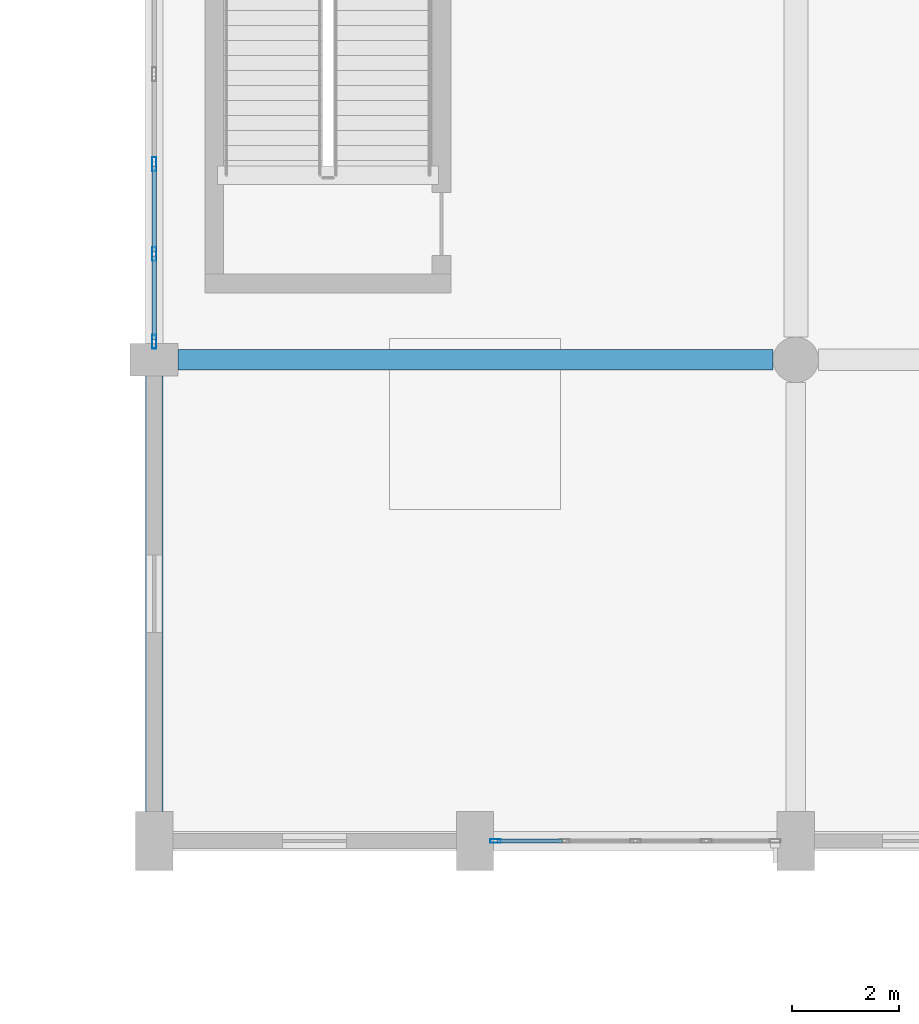
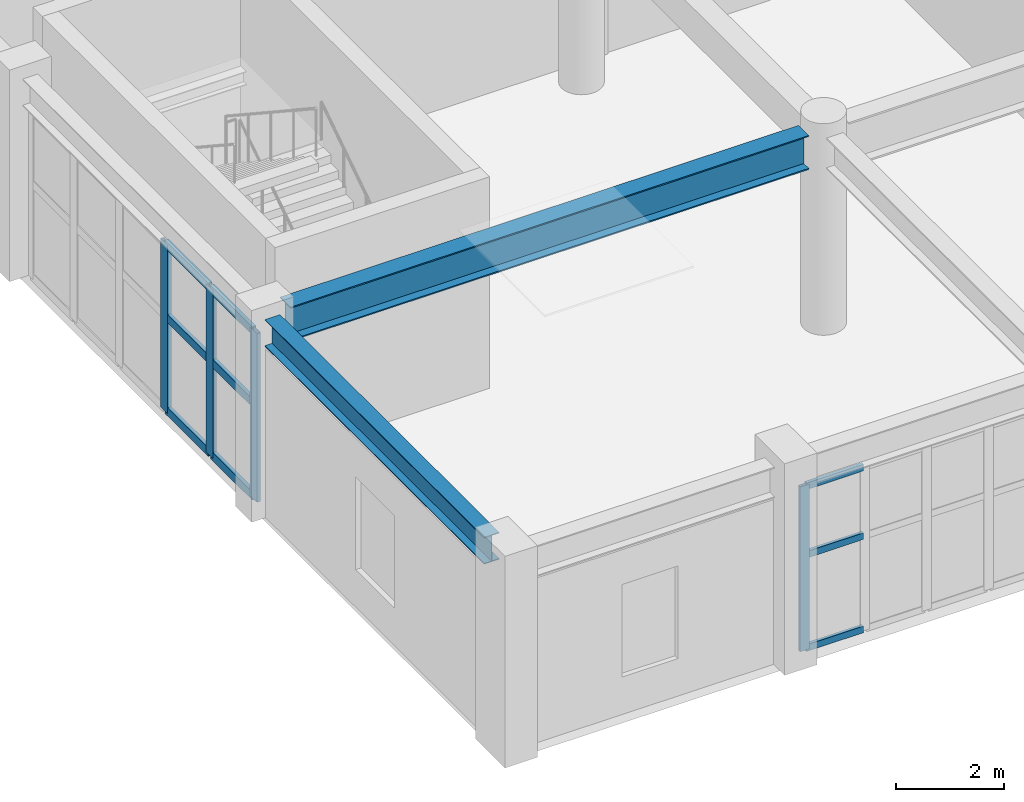
# One storey, part 5 of 96: 13 members, 2 beams, 2 elements without a shape of their own.
"""IFC4 building model written with IfcOpenShell, lengths in metres."""

from ifc_helpers import new_model, si_unit, direction, frame, origin, origin_2d, place, context, subcontext, project, spatial, hollow_rectangle, i_section, extrude, material, layer, layer_set, material_profile, profile_set, type_object, element, aggregate, save


model = new_model("IFC4")

# Units and contexts
model_context = context("Model", 3, precision=1e-05, world=origin(), true_north=direction((0.0, 1.0)))
body_context = subcontext(model_context, "Body", "Model", "MODEL_VIEW")
ifc_project = project(units=[si_unit("LENGTHUNIT", "METRE"), si_unit("AREAUNIT", "SQUARE_METRE"), si_unit("VOLUMEUNIT", "CUBIC_METRE"), si_unit("PLANEANGLEUNIT", "RADIAN"), si_unit("MASSUNIT", "GRAM", prefix="KILO")], contexts=[model_context])

# Site, building, storey
site_placement = place(None, origin())
site = spatial("IfcSite", under=ifc_project, at=site_placement, CompositionType="ELEMENT")
building_placement = place(site_placement, origin())
building = spatial("IfcBuilding", under=site, at=building_placement, Name="Vaelkrest Opera House", CompositionType="ELEMENT")
storey_placement = place(building_placement, frame((0.0, 0.0, 5.39990234375)))
storey = spatial("IfcBuildingStorey", under=building, at=storey_placement, Name="L01", CompositionType="ELEMENT", Elevation=5.39990234375)

# Beam
ifc_material_1 = material(Name="Steel A992 Gr50", Category="steel")
ifc_material_profile_1 = material_profile(ifc_material_1, i_section(OverallWidth=0.381103515625, OverallDepth=0.77294921875, WebThickness=0.0166015625, FlangeThickness=0.027099609375, at=origin_2d()), Name="W30X173")
ifc_profile_set_1 = profile_set([ifc_material_profile_1], Name="Steel A992 Gr50")
beam_type_1 = type_object("IfcBeamType", Name="B11", PredefinedType="BEAM", material=ifc_profile_set_1)
beam_1_placement = place(storey_placement, frame((-29.550048828125, -46.800048828125, 4.113525390625), z_axis=(1.0, 0.0, 0.0), x_axis=(0.0, 1.0, 0.0)))
element("IfcBeam", 1, at=beam_1_placement, inside=storey, type_object=beam_type_1, Name="Beam BM-V1-L01-0215", PredefinedType="BEAM", context=body_context, shape_type="SweptSolid", body=[
    extrude(i_section(OverallWidth=0.381103515625, OverallDepth=0.77294921875, WebThickness=0.0166015625, FlangeThickness=0.027099609375, at=origin_2d()), origin(), (0.0, 0.0, 1.0), 11.125),
])

# Curtain wall, member
ifc_material_2 = material(Name="Dark bronze anodized aluminium", Category="aluminium")
ifc_layer_1 = layer(ifc_material_2, 0.18994140625)
ifc_layer_set_1 = layer_set([ifc_layer_1], Name="Dark bronze anodized aluminium")
curtain_wall_type_1 = type_object("IfcCurtainWallType", Name="CW02", PredefinedType="NOTDEFINED", material=ifc_layer_set_1)
curtain_wall_1_placement = place(storey_placement, origin())
curtain_wall_1 = element("IfcCurtainWall", 2, at=curtain_wall_1_placement, inside=storey, type_object=curtain_wall_type_1, Name="Curtain wall CW-L01-024", PredefinedType="NOTDEFINED")
ifc_material_profile_2 = material_profile(ifc_material_2, hollow_rectangle(XDim=0.070068359375, YDim=0.199951171875, WallThickness=0.004150390625, at=origin_2d()), Name="CWM70X200")
ifc_profile_set_2 = profile_set([ifc_material_profile_2], Name="Dark bronze anodized aluminium")
member_type_1 = type_object("IfcMemberType", Name="CWM02", PredefinedType="MULLION", material=ifc_profile_set_2)
member_1_placement = place(storey_placement, frame((-23.616943359375, -55.800048828125, 0.0), z_axis=(0.0, 0.0, 1.0), x_axis=(0.0, -1.0, 0.0)))
member_1 = element("IfcMember", 3, at=member_1_placement, type_object=member_type_1, Name="CW02 mullion 5", PredefinedType="MULLION", context=body_context, shape_type="SweptSolid", body=[
    extrude(hollow_rectangle(XDim=0.070068359375, YDim=0.199951171875, WallThickness=0.004150390625, at=origin_2d()), origin(), (0.0, 0.0, 1.0), 3.739990234375),
])

# Curtain wall, members
ifc_layer_2 = layer(ifc_material_2, 0.2099609375)
ifc_layer_set_2 = layer_set([ifc_layer_2], Name="Dark bronze anodized aluminium")
curtain_wall_type_2 = type_object("IfcCurtainWallType", Name="CW04", PredefinedType="NOTDEFINED", material=ifc_layer_set_2)
curtain_wall_2_placement = place(storey_placement, origin())
curtain_wall_2 = element("IfcCurtainWall", 4, at=curtain_wall_2_placement, inside=storey, type_object=curtain_wall_type_2, Name="Curtain wall CW-L01-025", PredefinedType="NOTDEFINED")
ifc_material_profile_3 = material_profile(ifc_material_2, hollow_rectangle(XDim=0.080078125, YDim=0.260009765625, WallThickness=0.0048828125, at=origin_2d()), Name="CWM80X260")
ifc_profile_set_3 = profile_set([ifc_material_profile_3], Name="Dark bronze anodized aluminium")
member_type_2 = type_object("IfcMemberType", Name="CWM04", PredefinedType="MULLION", material=ifc_profile_set_3)
member_2_placement = place(storey_placement, frame((-30.0, -46.4619140625, 0.0), z_axis=(0.0, 0.0, 1.0), x_axis=(-1.0, 0.0, 0.0)))
member_2 = element("IfcMember", 5, at=member_2_placement, type_object=member_type_2, Name="CW04 mullion 1", PredefinedType="MULLION", context=body_context, shape_type="SweptSolid", body=[
    extrude(hollow_rectangle(XDim=0.080078125, YDim=0.260009765625, WallThickness=0.0048828125, at=origin_2d()), origin(), (0.0, 0.0, 1.0), 3.82421875),
])
member_3_placement = place(storey_placement, frame((-30.0, -44.8212890625, 0.0), z_axis=(0.0, 0.0, 1.0), x_axis=(-1.0, 0.0, 0.0)))
member_3 = element("IfcMember", 6, at=member_3_placement, type_object=member_type_2, Name="CW04 mullion 2", PredefinedType="MULLION", context=body_context, shape_type="SweptSolid", body=[
    extrude(hollow_rectangle(XDim=0.080078125, YDim=0.260009765625, WallThickness=0.0048828125, at=origin_2d()), origin(), (0.0, 0.0, 1.0), 3.82421875),
])
member_4_placement = place(storey_placement, frame((-30.0, -43.140380859375, 0.0), z_axis=(0.0, 0.0, 1.0), x_axis=(-1.0, 0.0, 0.0)))
member_4 = element("IfcMember", 7, at=member_4_placement, type_object=member_type_2, Name="CW04 mullion 3", PredefinedType="MULLION", context=body_context, shape_type="SweptSolid", body=[
    extrude(hollow_rectangle(XDim=0.080078125, YDim=0.260009765625, WallThickness=0.0048828125, at=origin_2d()), origin(), (0.0, 0.0, 1.0), 3.82421875),
])

# Member
ifc_material_profile_4 = material_profile(ifc_material_2, hollow_rectangle(XDim=0.070068359375, YDim=0.14990234375, WallThickness=0.004150390625, at=origin_2d()), Name="CWT70X150")
ifc_profile_set_4 = profile_set([ifc_material_profile_4], Name="Dark bronze anodized aluminium")
member_type_3 = type_object("IfcMemberType", Name="CWT02", PredefinedType="USERDEFINED", material=ifc_profile_set_4)
member_5_placement = place(storey_placement, frame((-22.361083984375, -55.800048828125, 0.03515625), z_axis=(-1.0, 0.0, 0.0), x_axis=(0.0, -1.0, 0.0)))
member_5 = element("IfcMember", 8, at=member_5_placement, type_object=member_type_3, Name="CW02 transom 4.1", ObjectType="TRANSOM", PredefinedType="USERDEFINED", context=body_context, shape_type="SweptSolid", body=[
    extrude(hollow_rectangle(XDim=0.070068359375, YDim=0.14990234375, WallThickness=0.004150390625, at=origin_2d()), origin(), (0.0, 0.0, 1.0), 1.220947265625),
])

member_6_placement = place(storey_placement, frame((-22.361083984375, -55.800048828125, 2.150146484375), z_axis=(-1.0, 0.0, 0.0), x_axis=(0.0, -1.0, 0.0)))
member_6 = element("IfcMember", 9, at=member_6_placement, type_object=member_type_3, Name="CW02 transom 4.2", ObjectType="TRANSOM", PredefinedType="USERDEFINED", context=body_context, shape_type="SweptSolid", body=[
    extrude(hollow_rectangle(XDim=0.070068359375, YDim=0.14990234375, WallThickness=0.004150390625, at=origin_2d()), origin(), (0.0, 0.0, 1.0), 1.220947265625),
])

member_7_placement = place(storey_placement, frame((-22.361083984375, -55.800048828125, 3.705078125), z_axis=(-1.0, 0.0, 0.0), x_axis=(0.0, -1.0, 0.0)))
member_7 = element("IfcMember", 10, at=member_7_placement, type_object=member_type_3, Name="CW02 transom 4.3", ObjectType="TRANSOM", PredefinedType="USERDEFINED", context=body_context, shape_type="SweptSolid", body=[
    extrude(hollow_rectangle(XDim=0.070068359375, YDim=0.14990234375, WallThickness=0.004150390625, at=origin_2d()), origin(), (0.0, 0.0, 1.0), 1.220947265625),
])

aggregate(curtain_wall_1, [member_1, member_5, member_6, member_7])

ifc_material_profile_5 = material_profile(ifc_material_2, hollow_rectangle(XDim=0.080078125, YDim=0.18994140625, WallThickness=0.0048828125, at=origin_2d()), Name="CWT80X190")
ifc_profile_set_5 = profile_set([ifc_material_profile_5], Name="Dark bronze anodized aluminium")
member_type_4 = type_object("IfcMemberType", Name="CWT04", PredefinedType="USERDEFINED", material=ifc_profile_set_5)
member_8_placement = place(storey_placement, frame((-30.0, -46.422119140625, 0.0400390625), z_axis=(0.0, 1.0, 0.0), x_axis=(-1.0, 0.0, 0.0)))
member_8 = element("IfcMember", 11, at=member_8_placement, type_object=member_type_4, Name="CW04 transom 1.1", ObjectType="TRANSOM", PredefinedType="USERDEFINED", context=body_context, shape_type="SweptSolid", body=[
    extrude(hollow_rectangle(XDim=0.080078125, YDim=0.18994140625, WallThickness=0.0048828125, at=origin_2d()), origin(), (0.0, 0.0, 1.0), 1.56103515625),
])

member_9_placement = place(storey_placement, frame((-30.0, -46.422119140625, 2.150146484375), z_axis=(0.0, 1.0, 0.0), x_axis=(-1.0, 0.0, 0.0)))
member_9 = element("IfcMember", 12, at=member_9_placement, type_object=member_type_4, Name="CW04 transom 1.2", ObjectType="TRANSOM", PredefinedType="USERDEFINED", context=body_context, shape_type="SweptSolid", body=[
    extrude(hollow_rectangle(XDim=0.080078125, YDim=0.18994140625, WallThickness=0.0048828125, at=origin_2d()), origin(), (0.0, 0.0, 1.0), 1.56103515625),
])

member_10_placement = place(storey_placement, frame((-30.0, -46.422119140625, 3.7841796875), z_axis=(0.0, 1.0, 0.0), x_axis=(-1.0, 0.0, 0.0)))
member_10 = element("IfcMember", 13, at=member_10_placement, type_object=member_type_4, Name="CW04 transom 1.3", ObjectType="TRANSOM", PredefinedType="USERDEFINED", context=body_context, shape_type="SweptSolid", body=[
    extrude(hollow_rectangle(XDim=0.080078125, YDim=0.18994140625, WallThickness=0.0048828125, at=origin_2d()), origin(), (0.0, 0.0, 1.0), 1.56103515625),
])

member_11_placement = place(storey_placement, frame((-30.0, -44.78125, 0.0400390625), z_axis=(0.0, 1.0, 0.0), x_axis=(-1.0, 0.0, 0.0)))
member_11 = element("IfcMember", 14, at=member_11_placement, type_object=member_type_4, Name="CW04 transom 2.1", ObjectType="TRANSOM", PredefinedType="USERDEFINED", context=body_context, shape_type="SweptSolid", body=[
    extrude(hollow_rectangle(XDim=0.080078125, YDim=0.18994140625, WallThickness=0.0048828125, at=origin_2d()), origin(), (0.0, 0.0, 1.0), 1.600830078125),
])

member_12_placement = place(storey_placement, frame((-30.0, -44.78125, 2.150146484375), z_axis=(0.0, 1.0, 0.0), x_axis=(-1.0, 0.0, 0.0)))
member_12 = element("IfcMember", 15, at=member_12_placement, type_object=member_type_4, Name="CW04 transom 2.2", ObjectType="TRANSOM", PredefinedType="USERDEFINED", context=body_context, shape_type="SweptSolid", body=[
    extrude(hollow_rectangle(XDim=0.080078125, YDim=0.18994140625, WallThickness=0.0048828125, at=origin_2d()), origin(), (0.0, 0.0, 1.0), 1.600830078125),
])

member_13_placement = place(storey_placement, frame((-30.0, -44.78125, 3.7841796875), z_axis=(0.0, 1.0, 0.0), x_axis=(-1.0, 0.0, 0.0)))
member_13 = element("IfcMember", 16, at=member_13_placement, type_object=member_type_4, Name="CW04 transom 2.3", ObjectType="TRANSOM", PredefinedType="USERDEFINED", context=body_context, shape_type="SweptSolid", body=[
    extrude(hollow_rectangle(XDim=0.080078125, YDim=0.18994140625, WallThickness=0.0048828125, at=origin_2d()), origin(), (0.0, 0.0, 1.0), 1.600830078125),
])

aggregate(curtain_wall_2, [member_2, member_3, member_4, member_8, member_9, member_10, member_11, member_12, member_13])

# Beam
ifc_material_profile_6 = material_profile(ifc_material_1, i_section(OverallWidth=0.323974609375, OverallDepth=0.611083984375, WebThickness=0.0126953125, FlangeThickness=0.01904296875, at=origin_2d()), Name="W24X104")
ifc_profile_set_6 = profile_set([ifc_material_profile_6], Name="Steel A992 Gr50")
beam_type_2 = type_object("IfcBeamType", Name="SP01", PredefinedType="SPANDREL", material=ifc_profile_set_6)
beam_2_placement = place(storey_placement, frame((-30.0, -55.25, 4.194580078125), z_axis=(0.0, 1.0, 0.0), x_axis=(-1.0, 0.0, 0.0)))
element("IfcBeam", 17, at=beam_2_placement, inside=storey, type_object=beam_type_2, Name="Beam BM-V1-L01-0257", PredefinedType="SPANDREL", context=body_context, shape_type="SweptSolid", body=[
    extrude(i_section(OverallWidth=0.323974609375, OverallDepth=0.611083984375, WebThickness=0.0126953125, FlangeThickness=0.01904296875, at=origin_2d()), origin(), (0.0, 0.0, 1.0), 8.14990234375),
])

save(model, "model.ifc")
